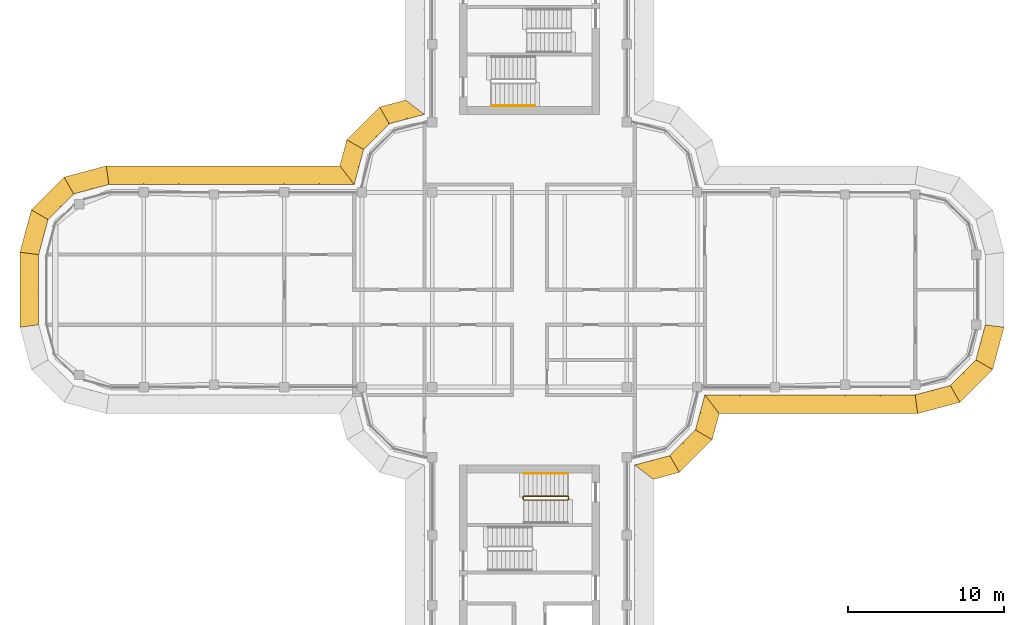
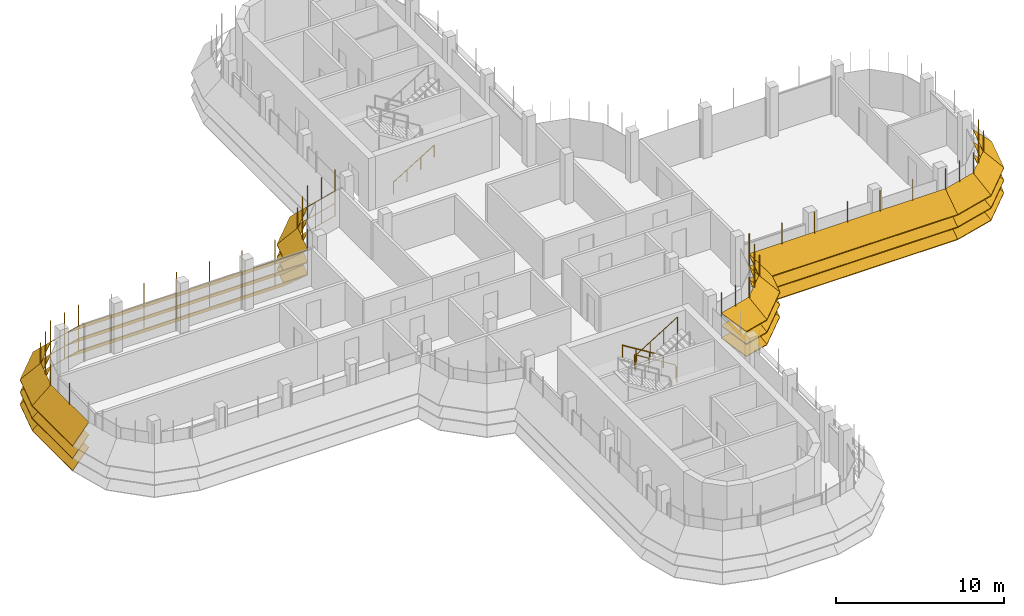
# One storey, part 17 of 19: 7 shading devices, 3 railings.
"""IFC4 building model written with IfcOpenShell, lengths in metres."""

from ifc_helpers import new_model, si_unit, direction, frame, origin, origin_2d, place, context, subcontext, project, spatial, polyline, circle, outline, extrude, faceted_brep, source, transform, mapped, material, type_object, element, save


model = new_model("IFC4")

# Units and contexts
model_context = context("Model", 3, precision=1e-05, world=origin(), true_north=direction((0.0, 1.0)))
body_context = subcontext(model_context, "Body", "Model", "MODEL_VIEW")
ifc_project = project(units=[si_unit("LENGTHUNIT", "METRE"), si_unit("AREAUNIT", "SQUARE_METRE"), si_unit("VOLUMEUNIT", "CUBIC_METRE"), si_unit("PLANEANGLEUNIT", "RADIAN"), si_unit("MASSUNIT", "GRAM", prefix="KILO")], contexts=[model_context])

# Site, building, storey
site_placement = place(None, origin())
site = spatial("IfcSite", under=ifc_project, at=site_placement, CompositionType="ELEMENT")
building_placement = place(site_placement, origin())
building = spatial("IfcBuilding", under=site, at=building_placement, Name="Zarbagh Exchange Tower", CompositionType="ELEMENT")
storey_placement = place(building_placement, frame((0.0, 0.0, 280.199951171875)))
storey = spatial("IfcBuildingStorey", under=building, at=storey_placement, Name="L69", CompositionType="ELEMENT", Elevation=280.199951171875)

# Railings
ifc_material_1 = material(Name="Stainless steel", Category="steel")
railing_type_1 = type_object("IfcRailingType", Name="Stair guard 1100 mm", PredefinedType="GUARDRAIL", material=ifc_material_1)
railing_1_placement = place(storey_placement, frame((-0.35009765625, -13.5, 2.07275390625)))
element("IfcRailing", 1, at=railing_1_placement, inside=storey, type_object=railing_type_1, Name="ST4 stair guard 1", PredefinedType="GUARDRAIL", context=body_context, shape_type="SweptSolid", body=[
    extrude(circle(Radius=0.02392578125, at=origin_2d()), frame((0.0, 0.0, 1.076171875), z_axis=(0.851089632645, 0.0, 0.525020415988), x_axis=(0.0, 1.0, 0.0)), (0.0, 0.0, 1.0), 3.2900390625),
    extrude(circle(Radius=0.02392578125, at=origin_2d()), frame((2.800048828125, 0.0, 2.80322265625), z_axis=(0.013168290981, 0.013168290981, -0.999826581076), x_axis=(-0.707106781187, 0.707106781187, 0.0)), (0.0, 0.0, 1.0), 3.80078125),
    extrude(circle(Radius=0.02392578125, at=origin_2d()), frame((2.85009765625, 0.050048828125, -0.99658203125), z_axis=(0.0, 1.0, 0.0), x_axis=(-1.0, 0.0, 0.0)), (0.0, 0.0, 1.0), 0.14990234375),
    extrude(circle(Radius=0.02392578125, at=origin_2d()), frame((2.85009765625, 0.199951171875, -0.99658203125), z_axis=(-0.267953482034, 0.267953482034, 0.925419830635), x_axis=(-0.707106781187, -0.707106781187, 0.0)), (0.0, 0.0, 1.0), 0.186767578125),
    extrude(circle(Radius=0.02392578125, at=origin_2d()), frame((2.800048828125, 0.25, -0.82373046875), z_axis=(-0.851089632645, 0.0, 0.525020415988), x_axis=(0.0, -1.0, 0.0)), (0.0, 0.0, 1.0), 3.2900390625),
    extrude(circle(Radius=0.02392578125, at=origin_2d()), frame((0.0, 0.25, 0.9033203125), z_axis=(-0.705375805398, -0.708833529934, 0.0), x_axis=(0.708833529934, -0.705375805398, 0.0)), (0.0, 0.0, 1.0), 0.070556640625),
    extrude(circle(Radius=0.02392578125, at=origin_2d()), frame((-0.0498046875, 0.199951171875, 0.9033203125), z_axis=(0.0, -1.0, 0.0), x_axis=(1.0, 0.0, 0.0)), (0.0, 0.0, 1.0), 0.14990234375),
    extrude(circle(Radius=0.02099609375, at=origin_2d()), origin(), (0.0, 0.0, 1.0), 1.052001953125),
    extrude(circle(Radius=0.02099609375, at=origin_2d()), frame((0.933349609375, 0.0, 0.57568359375)), (0.0, 0.0, 1.0), 1.052001953125),
    extrude(circle(Radius=0.02099609375, at=origin_2d()), frame((1.86669921875, 0.0, 1.151611328125)), (0.0, 0.0, 1.0), 1.052001953125),
    extrude(circle(Radius=0.02099609375, at=origin_2d()), frame((2.800048828125, 0.0, 1.727294921875)), (0.0, 0.0, 1.0), 1.052001953125),
    extrude(circle(Radius=0.02099609375, at=origin_2d()), frame((2.8125, 0.012451171875, 0.77734375)), (0.0, 0.0, 1.0), 1.052001953125),
    extrude(circle(Radius=0.02099609375, at=origin_2d()), frame((2.8251953125, 0.02490234375, -0.1728515625)), (0.0, 0.0, 1.0), 1.052001953125),
    extrude(circle(Radius=0.02099609375, at=origin_2d()), frame((2.837646484375, 0.03759765625, -1.122802734375)), (0.0, 0.0, 1.0), 1.052001953125),
    extrude(circle(Radius=0.02099609375, at=origin_2d()), frame((2.85009765625, 0.050048828125, -2.07275390625)), (0.0, 0.0, 1.0), 1.052001953125),
    extrude(circle(Radius=0.02099609375, at=origin_2d()), frame((2.85009765625, 0.199951171875, -2.07275390625)), (0.0, 0.0, 1.0), 1.052001953125),
    extrude(circle(Radius=0.02099609375, at=origin_2d()), frame((2.800048828125, 0.25, -1.89990234375)), (0.0, 0.0, 1.0), 1.052001953125),
    extrude(circle(Radius=0.02099609375, at=origin_2d()), frame((1.86669921875, 0.25, -1.32421875)), (0.0, 0.0, 1.0), 1.052001953125),
    extrude(circle(Radius=0.02099609375, at=origin_2d()), frame((0.933349609375, 0.25, -0.748291015625)), (0.0, 0.0, 1.0), 1.052001953125),
    extrude(circle(Radius=0.02099609375, at=origin_2d()), frame((0.0, 0.25, -0.172607421875)), (0.0, 0.0, 1.0), 1.052001953125),
    extrude(circle(Radius=0.02099609375, at=origin_2d()), frame((-0.0498046875, 0.199951171875, -0.172607421875)), (0.0, 0.0, 1.0), 1.052001953125),
    extrude(circle(Radius=0.02099609375, at=origin_2d()), frame((-0.0498046875, 0.050048828125, -0.172607421875)), (0.0, 0.0, 1.0), 1.052001953125),
])
railing_type_2 = type_object("IfcRailingType", Name="Stair handrail 900 mm", PredefinedType="HANDRAIL", material=ifc_material_1)
railing_2_placement = place(storey_placement, frame((-2.449951171875, 11.800048828125, 0.1728515625)))
element("IfcRailing", 2, at=railing_2_placement, inside=storey, type_object=railing_type_2, Name="ST2 stair handrail 1", PredefinedType="HANDRAIL", context=body_context, shape_type="SweptSolid", body=[
    extrude(circle(Radius=0.02392578125, at=origin_2d()), frame((0.0, 0.0, 0.8759765625), z_axis=(0.851089632645, 0.0, 0.525020415988), x_axis=(0.0, 1.0, 0.0)), (0.0, 0.0, 1.0), 3.2900390625),
    extrude(circle(Radius=0.02099609375, at=origin_2d()), origin(), (0.0, 0.0, 1.0), 0.851806640625),
    extrude(circle(Radius=0.02099609375, at=origin_2d()), frame((0.933349609375, 0.0, 0.57568359375)), (0.0, 0.0, 1.0), 0.851806640625),
    extrude(circle(Radius=0.02099609375, at=origin_2d()), frame((1.86669921875, 0.0, 1.151611328125)), (0.0, 0.0, 1.0), 0.851806640625),
    extrude(circle(Radius=0.02099609375, at=origin_2d()), frame((2.800048828125, 0.0, 1.727294921875)), (0.0, 0.0, 1.0), 0.851806640625),
])
railing_3_placement = place(storey_placement, frame((2.449951171875, -11.800048828125, 0.1728515625)))
element("IfcRailing", 3, at=railing_3_placement, inside=storey, type_object=railing_type_2, Name="ST4 stair handrail 1", PredefinedType="HANDRAIL", context=body_context, shape_type="SweptSolid", body=[
    extrude(circle(Radius=0.02392578125, at=origin_2d()), frame((0.0, 0.0, 0.8759765625), z_axis=(-0.851089632645, 0.0, 0.525020415988), x_axis=(0.0, -1.0, 0.0)), (0.0, 0.0, 1.0), 3.2900390625),
    extrude(circle(Radius=0.02099609375, at=origin_2d()), origin(), (0.0, 0.0, 1.0), 0.851806640625),
    extrude(circle(Radius=0.02099609375, at=origin_2d()), frame((-0.933349609375, 0.0, 0.57568359375)), (0.0, 0.0, 1.0), 0.851806640625),
    extrude(circle(Radius=0.02099609375, at=origin_2d()), frame((-1.86669921875, 0.0, 1.151611328125)), (0.0, 0.0, 1.0), 0.851806640625),
    extrude(circle(Radius=0.02099609375, at=origin_2d()), frame((-2.800048828125, 0.0, 1.727294921875)), (0.0, 0.0, 1.0), 0.851806640625),
])

# Shading devices
ifc_material_2 = material(Name="Anodised aluminium blades and brackets", Category="aluminium")
shading_device_type = type_object("IfcShadingDeviceType", Name="SUNSHADE louvre band, 45 degree blades", PredefinedType="JALOUSIE", material=ifc_material_2)
shared_shape_1 = source(origin(), body_context, "Body", "Brep", [
    faceted_brep([(0.0, 0.0, 0.0), (0.0, 0.0, -0.056640625), (-0.157958984375, -1.199951171875, -1.256591796875), (-0.157958984375, -1.199951171875, -1.199951171875), (2.65087890625, -1.199951171875, -1.199951171875), (2.65087890625, -1.199951171875, -1.256591796875), (2.329345703125, 0.0, -0.056640625), (2.329345703125, 0.0, 0.0)], [[[0, 1, 2, 3]], [[4, 5, 6, 7]], [[0, 7, 6, 1]], [[1, 6, 5, 2]], [[2, 5, 4, 3]], [[3, 4, 7, 0]]]),
])
shared_shape_2 = source(origin(), body_context, "Body", "Brep", [
    faceted_brep([(0.0, 0.0, 0.0), (0.0, 0.0, -0.056640625), (-0.321533203125, -1.199951171875, -1.256591796875), (-0.321533203125, -1.199951171875, -1.199951171875), (2.65087890625, -1.199951171875, -1.199951171875), (2.65087890625, -1.199951171875, -1.256591796875), (2.329345703125, 0.0, -0.056640625), (2.329345703125, 0.0, 0.0)], [[[0, 1, 2, 3]], [[4, 5, 6, 7]], [[0, 7, 6, 1]], [[1, 6, 5, 2]], [[2, 5, 4, 3]], [[3, 4, 7, 0]]]),
])
shared_shape_3 = source(origin(), body_context, "Body", "Brep", [
    faceted_brep([(0.0, 0.0, 0.0), (0.0, 0.0, -0.056640625), (-0.321533203125, -1.199951171875, -1.256591796875), (-0.321533203125, -1.199951171875, -1.199951171875), (2.4873046875, -1.199951171875, -1.199951171875), (2.4873046875, -1.199951171875, -1.256591796875), (2.329345703125, 0.0, -0.056640625), (2.329345703125, 0.0, 0.0)], [[[0, 1, 2, 3]], [[4, 5, 6, 7]], [[0, 7, 6, 1]], [[1, 6, 5, 2]], [[2, 5, 4, 3]], [[3, 4, 7, 0]]]),
])
shared_shape_4 = source(origin(), body_context, "Body", "SweptSolid", [
    extrude(outline(polyline([(0.0, -0.012451171875), (0.06005859375, -0.012451171875), (0.06005859375, 0.012451171875), (0.0, 0.012451171875), (0.0, -0.012451171875)])), origin(), (0.0, 0.0, 1.0), 3.366455078125),
])
placement = place(storey_placement, origin())
element("IfcShadingDevice", 4, at=placement, inside=storey, type_object=shading_device_type, Name="SS51 sunshade band", PredefinedType="JALOUSIE", context=body_context, shape_type="MappedRepresentation", body=[
    mapped(shared_shape_1, transform((24.75, -6.75, 2.300048828125), x_axis=(0.965924289636, 0.258824779902, 0.0), y_axis=(-0.258824779902, 0.965924289636, 0.0), z_axis=(0.0, 0.0, 1.0))),
    mapped(shared_shape_1, transform((24.75, -6.75, 1.400146484375), x_axis=(0.965924289636, 0.258824779902, 0.0), y_axis=(-0.258824779902, 0.965924289636, 0.0), z_axis=(0.0, 0.0, 1.0))),
    mapped(shared_shape_1, transform((24.75, -6.75, 0.5), x_axis=(0.965924289636, 0.258824779902, 0.0), y_axis=(-0.258824779902, 0.965924289636, 0.0), z_axis=(0.0, 0.0, 1.0))),
    mapped(shared_shape_2, transform((27.0, -6.147216796875, 2.300048828125), x_axis=(0.707106781187, 0.707106781187, 0.0), y_axis=(-0.707106781187, 0.707106781187, 0.0), z_axis=(0.0, 0.0, 1.0))),
    mapped(shared_shape_2, transform((27.0, -6.147216796875, 1.400146484375), x_axis=(0.707106781187, 0.707106781187, 0.0), y_axis=(-0.707106781187, 0.707106781187, 0.0), z_axis=(0.0, 0.0, 1.0))),
    mapped(shared_shape_2, transform((27.0, -6.147216796875, 0.5), x_axis=(0.707106781187, 0.707106781187, 0.0), y_axis=(-0.707106781187, 0.707106781187, 0.0), z_axis=(0.0, 0.0, 1.0))),
    mapped(shared_shape_3, transform((28.647216796875, -4.5, 2.300048828125), x_axis=(0.258824779902, 0.965924289636, 0.0), y_axis=(-0.965924289636, 0.258824779902, 0.0), z_axis=(0.0, 0.0, 1.0))),
    mapped(shared_shape_3, transform((28.647216796875, -4.5, 1.400146484375), x_axis=(0.258824779902, 0.965924289636, 0.0), y_axis=(-0.965924289636, 0.258824779902, 0.0), z_axis=(0.0, 0.0, 1.0))),
    mapped(shared_shape_3, transform((28.647216796875, -4.5, 0.5), x_axis=(0.258824779902, 0.965924289636, 0.0), y_axis=(-0.965924289636, 0.258824779902, 0.0), z_axis=(0.0, 0.0, 1.0))),
    mapped(shared_shape_4, transform((24.75, -6.75, 0.41357421875), x_axis=(0.130529263012, -0.991444457092, 0.0), y_axis=(0.991444457092, 0.130529263012, 0.0), z_axis=(0.0, 0.0, 1.0))),
    mapped(shared_shape_4, transform((25.875, -6.448486328125, 0.41357421875), x_axis=(0.258825058029, -0.96592421511, 0.0), y_axis=(0.96592421511, 0.258825058029, 0.0), z_axis=(0.0, 0.0, 1.0))),
    mapped(shared_shape_4, transform((27.0, -6.147216796875, 0.41357421875), x_axis=(0.50000275701, -0.866023812018, 0.0), y_axis=(0.866023812018, 0.50000275701, 0.0), z_axis=(0.0, 0.0, 1.0))),
    mapped(shared_shape_4, transform((27.823486328125, -5.323486328125, 0.41357421875), x_axis=(0.707106781187, -0.707106781187, 0.0), y_axis=(0.707106781187, 0.707106781187, 0.0), z_axis=(0.0, 0.0, 1.0))),
    mapped(shared_shape_4, transform((28.647216796875, -4.5, 0.41357421875), x_axis=(0.866023812018, -0.50000275701, 0.0), y_axis=(0.50000275701, 0.866023812018, 0.0), z_axis=(0.0, 0.0, 1.0))),
    mapped(shared_shape_4, transform((28.948486328125, -3.375, 0.41357421875), x_axis=(0.96592421511, -0.258825058029, 0.0), y_axis=(0.258825058029, 0.96592421511, 0.0), z_axis=(0.0, 0.0, 1.0))),
])
element("IfcShadingDevice", 5, at=placement, inside=storey, type_object=shading_device_type, Name="SS41 sunshade band", PredefinedType="JALOUSIE", context=body_context, shape_type="MappedRepresentation", body=[
    mapped(shared_shape_1, transform((-27.0, 6.75, 2.300048828125), x_axis=(-0.965924289636, -0.258824779902, 0.0), y_axis=(0.258824779902, -0.965924289636, 0.0), z_axis=(0.0, 0.0, 1.0))),
    mapped(shared_shape_1, transform((-27.0, 6.75, 1.400146484375), x_axis=(-0.965924289636, -0.258824779902, 0.0), y_axis=(0.258824779902, -0.965924289636, 0.0), z_axis=(0.0, 0.0, 1.0))),
    mapped(shared_shape_1, transform((-27.0, 6.75, 0.5), x_axis=(-0.965924289636, -0.258824779902, 0.0), y_axis=(0.258824779902, -0.965924289636, 0.0), z_axis=(0.0, 0.0, 1.0))),
    mapped(shared_shape_2, transform((-29.25, 6.147216796875, 2.300048828125), x_axis=(-0.707106781187, -0.707106781187, 0.0), y_axis=(0.707106781187, -0.707106781187, 0.0), z_axis=(0.0, 0.0, 1.0))),
    mapped(shared_shape_2, transform((-29.25, 6.147216796875, 1.400146484375), x_axis=(-0.707106781187, -0.707106781187, 0.0), y_axis=(0.707106781187, -0.707106781187, 0.0), z_axis=(0.0, 0.0, 1.0))),
    mapped(shared_shape_2, transform((-29.25, 6.147216796875, 0.5), x_axis=(-0.707106781187, -0.707106781187, 0.0), y_axis=(0.707106781187, -0.707106781187, 0.0), z_axis=(0.0, 0.0, 1.0))),
    mapped(shared_shape_3, transform((-30.897216796875, 4.5, 2.300048828125), x_axis=(-0.258824779902, -0.965924289636, 0.0), y_axis=(0.965924289636, -0.258824779902, 0.0), z_axis=(0.0, 0.0, 1.0))),
    mapped(shared_shape_3, transform((-30.897216796875, 4.5, 1.400146484375), x_axis=(-0.258824779902, -0.965924289636, 0.0), y_axis=(0.965924289636, -0.258824779902, 0.0), z_axis=(0.0, 0.0, 1.0))),
    mapped(shared_shape_3, transform((-30.897216796875, 4.5, 0.5), x_axis=(-0.258824779902, -0.965924289636, 0.0), y_axis=(0.965924289636, -0.258824779902, 0.0), z_axis=(0.0, 0.0, 1.0))),
    mapped(shared_shape_4, transform((-27.0, 6.75, 0.41357421875), x_axis=(-0.130529263012, 0.991444457092, 0.0), y_axis=(-0.991444457092, -0.130529263012, 0.0), z_axis=(0.0, 0.0, 1.0))),
    mapped(shared_shape_4, transform((-28.125, 6.448486328125, 0.41357421875), x_axis=(-0.258825058029, 0.96592421511, 0.0), y_axis=(-0.96592421511, -0.258825058029, 0.0), z_axis=(0.0, 0.0, 1.0))),
    mapped(shared_shape_4, transform((-29.25, 6.147216796875, 0.41357421875), x_axis=(-0.50000275701, 0.866023812018, 0.0), y_axis=(-0.866023812018, -0.50000275701, 0.0), z_axis=(0.0, 0.0, 1.0))),
    mapped(shared_shape_4, transform((-30.073486328125, 5.323486328125, 0.41357421875), x_axis=(-0.707106781187, 0.707106781187, 0.0), y_axis=(-0.707106781187, -0.707106781187, 0.0), z_axis=(0.0, 0.0, 1.0))),
    mapped(shared_shape_4, transform((-30.897216796875, 4.5, 0.41357421875), x_axis=(-0.866023812018, 0.50000275701, 0.0), y_axis=(-0.50000275701, -0.866023812018, 0.0), z_axis=(0.0, 0.0, 1.0))),
    mapped(shared_shape_4, transform((-31.198486328125, 3.375, 0.41357421875), x_axis=(-0.96592421511, 0.258825058029, 0.0), y_axis=(-0.258825058029, -0.96592421511, 0.0), z_axis=(0.0, 0.0, 1.0))),
])
shared_shape_5 = source(origin(), body_context, "Body", "Brep", [
    faceted_brep([(0.0, 0.0, 0.0), (0.0, 0.0, -0.056640625), (0.9208984375, -1.199951171875, -1.256591796875), (0.9208984375, -1.199951171875, -1.199951171875), (2.65087890625, -1.199951171875, -1.199951171875), (2.65087890625, -1.199951171875, -1.256591796875), (2.329345703125, 0.0, -0.056640625), (2.329345703125, 0.0, 0.0)], [[[0, 1, 2, 3]], [[4, 5, 6, 7]], [[0, 7, 6, 1]], [[1, 6, 5, 2]], [[2, 5, 4, 3]], [[3, 4, 7, 0]]]),
])
shared_shape_6 = source(origin(), body_context, "Body", "Brep", [
    faceted_brep([(0.0, 0.0, 0.0), (0.0, 0.0, -0.056640625), (-0.321533203125, -1.199951171875, -1.256591796875), (-0.321533203125, -1.199951171875, -1.199951171875), (1.40869140625, -1.199951171875, -1.199951171875), (1.40869140625, -1.199951171875, -1.256591796875), (2.329345703125, 0.0, -0.056640625), (2.329345703125, 0.0, 0.0)], [[[0, 1, 2, 3]], [[4, 5, 6, 7]], [[0, 7, 6, 1]], [[1, 6, 5, 2]], [[2, 5, 4, 3]], [[3, 4, 7, 0]]]),
])
element("IfcShadingDevice", 6, at=placement, inside=storey, type_object=shading_device_type, Name="SS03 sunshade band", PredefinedType="JALOUSIE", context=body_context, shape_type="MappedRepresentation", body=[
    mapped(shared_shape_5, transform((6.75, -11.25, 2.300048828125), x_axis=(0.965924289636, 0.258824779902, 0.0), y_axis=(-0.258824779902, 0.965924289636, 0.0), z_axis=(0.0, 0.0, 1.0))),
    mapped(shared_shape_5, transform((6.75, -11.25, 1.400146484375), x_axis=(0.965924289636, 0.258824779902, 0.0), y_axis=(-0.258824779902, 0.965924289636, 0.0), z_axis=(0.0, 0.0, 1.0))),
    mapped(shared_shape_5, transform((6.75, -11.25, 0.5), x_axis=(0.965924289636, 0.258824779902, 0.0), y_axis=(-0.258824779902, 0.965924289636, 0.0), z_axis=(0.0, 0.0, 1.0))),
    mapped(shared_shape_2, transform((9.0, -10.647216796875, 2.300048828125), x_axis=(0.707106781187, 0.707106781187, 0.0), y_axis=(-0.707106781187, 0.707106781187, 0.0), z_axis=(0.0, 0.0, 1.0))),
    mapped(shared_shape_2, transform((9.0, -10.647216796875, 1.400146484375), x_axis=(0.707106781187, 0.707106781187, 0.0), y_axis=(-0.707106781187, 0.707106781187, 0.0), z_axis=(0.0, 0.0, 1.0))),
    mapped(shared_shape_2, transform((9.0, -10.647216796875, 0.5), x_axis=(0.707106781187, 0.707106781187, 0.0), y_axis=(-0.707106781187, 0.707106781187, 0.0), z_axis=(0.0, 0.0, 1.0))),
    mapped(shared_shape_6, transform((10.647216796875, -9.0, 2.300048828125), x_axis=(0.258824779902, 0.965924289636, 0.0), y_axis=(-0.965924289636, 0.258824779902, 0.0), z_axis=(0.0, 0.0, 1.0))),
    mapped(shared_shape_6, transform((10.647216796875, -9.0, 1.400146484375), x_axis=(0.258824779902, 0.965924289636, 0.0), y_axis=(-0.965924289636, 0.258824779902, 0.0), z_axis=(0.0, 0.0, 1.0))),
    mapped(shared_shape_6, transform((10.647216796875, -9.0, 0.5), x_axis=(0.258824779902, 0.965924289636, 0.0), y_axis=(-0.965924289636, 0.258824779902, 0.0), z_axis=(0.0, 0.0, 1.0))),
    mapped(shared_shape_4, transform((6.75, -11.25, 0.41357421875), x_axis=(0.793355287, -0.608758892, 0.0), y_axis=(0.608758892, 0.793355287, 0.0), z_axis=(0.0, 0.0, 1.0))),
    mapped(shared_shape_4, transform((7.875, -10.948486328125, 0.41357421875), x_axis=(0.258825058029, -0.96592421511, 0.0), y_axis=(0.96592421511, 0.258825058029, 0.0), z_axis=(0.0, 0.0, 1.0))),
    mapped(shared_shape_4, transform((9.0, -10.647216796875, 0.41357421875), x_axis=(0.50000275701, -0.866023812018, 0.0), y_axis=(0.866023812018, 0.50000275701, 0.0), z_axis=(0.0, 0.0, 1.0))),
    mapped(shared_shape_4, transform((9.823486328125, -9.823486328125, 0.41357421875), x_axis=(0.707106781187, -0.707106781187, 0.0), y_axis=(0.707106781187, 0.707106781187, 0.0), z_axis=(0.0, 0.0, 1.0))),
    mapped(shared_shape_4, transform((10.647216796875, -9.0, 0.41357421875), x_axis=(0.866023812018, -0.50000275701, 0.0), y_axis=(0.50000275701, 0.866023812018, 0.0), z_axis=(0.0, 0.0, 1.0))),
    mapped(shared_shape_4, transform((10.948486328125, -7.875, 0.41357421875), x_axis=(0.96592421511, -0.258825058029, 0.0), y_axis=(0.258825058029, 0.96592421511, 0.0), z_axis=(0.0, 0.0, 1.0))),
])
element("IfcShadingDevice", 7, at=placement, inside=storey, type_object=shading_device_type, Name="SS15 sunshade band", PredefinedType="JALOUSIE", context=body_context, shape_type="MappedRepresentation", body=[
    mapped(shared_shape_5, transform((-6.75, 11.25, 2.300048828125), x_axis=(-0.965924289636, -0.258824779902, 0.0), y_axis=(0.258824779902, -0.965924289636, 0.0), z_axis=(0.0, 0.0, 1.0))),
    mapped(shared_shape_5, transform((-6.75, 11.25, 1.400146484375), x_axis=(-0.965924289636, -0.258824779902, 0.0), y_axis=(0.258824779902, -0.965924289636, 0.0), z_axis=(0.0, 0.0, 1.0))),
    mapped(shared_shape_5, transform((-6.75, 11.25, 0.5), x_axis=(-0.965924289636, -0.258824779902, 0.0), y_axis=(0.258824779902, -0.965924289636, 0.0), z_axis=(0.0, 0.0, 1.0))),
    mapped(shared_shape_2, transform((-9.0, 10.647216796875, 2.300048828125), x_axis=(-0.707106781187, -0.707106781187, 0.0), y_axis=(0.707106781187, -0.707106781187, 0.0), z_axis=(0.0, 0.0, 1.0))),
    mapped(shared_shape_2, transform((-9.0, 10.647216796875, 1.400146484375), x_axis=(-0.707106781187, -0.707106781187, 0.0), y_axis=(0.707106781187, -0.707106781187, 0.0), z_axis=(0.0, 0.0, 1.0))),
    mapped(shared_shape_2, transform((-9.0, 10.647216796875, 0.5), x_axis=(-0.707106781187, -0.707106781187, 0.0), y_axis=(0.707106781187, -0.707106781187, 0.0), z_axis=(0.0, 0.0, 1.0))),
    mapped(shared_shape_6, transform((-10.647216796875, 9.0, 2.300048828125), x_axis=(-0.258824779902, -0.965924289636, 0.0), y_axis=(0.965924289636, -0.258824779902, 0.0), z_axis=(0.0, 0.0, 1.0))),
    mapped(shared_shape_6, transform((-10.647216796875, 9.0, 1.400146484375), x_axis=(-0.258824779902, -0.965924289636, 0.0), y_axis=(0.965924289636, -0.258824779902, 0.0), z_axis=(0.0, 0.0, 1.0))),
    mapped(shared_shape_6, transform((-10.647216796875, 9.0, 0.5), x_axis=(-0.258824779902, -0.965924289636, 0.0), y_axis=(0.965924289636, -0.258824779902, 0.0), z_axis=(0.0, 0.0, 1.0))),
    mapped(shared_shape_4, transform((-6.75, 11.25, 0.41357421875), x_axis=(-0.793355287, 0.608758892, 0.0), y_axis=(-0.608758892, -0.793355287, 0.0), z_axis=(0.0, 0.0, 1.0))),
    mapped(shared_shape_4, transform((-7.875, 10.948486328125, 0.41357421875), x_axis=(-0.258825058029, 0.96592421511, 0.0), y_axis=(-0.96592421511, -0.258825058029, 0.0), z_axis=(0.0, 0.0, 1.0))),
    mapped(shared_shape_4, transform((-9.0, 10.647216796875, 0.41357421875), x_axis=(-0.50000275701, 0.866023812018, 0.0), y_axis=(-0.866023812018, -0.50000275701, 0.0), z_axis=(0.0, 0.0, 1.0))),
    mapped(shared_shape_4, transform((-9.823486328125, 9.823486328125, 0.41357421875), x_axis=(-0.707106781187, 0.707106781187, 0.0), y_axis=(-0.707106781187, -0.707106781187, 0.0), z_axis=(0.0, 0.0, 1.0))),
    mapped(shared_shape_4, transform((-10.647216796875, 9.0, 0.41357421875), x_axis=(-0.866023812018, 0.50000275701, 0.0), y_axis=(-0.50000275701, -0.866023812018, 0.0), z_axis=(0.0, 0.0, 1.0))),
    mapped(shared_shape_4, transform((-10.948486328125, 7.875, 0.41357421875), x_axis=(-0.96592421511, 0.258825058029, 0.0), y_axis=(-0.258825058029, -0.96592421511, 0.0), z_axis=(0.0, 0.0, 1.0))),
])
shared_shape_7 = source(origin(), body_context, "Body", "Brep", [
    faceted_brep([(0.0, 0.0, 0.0), (0.0, 0.0, -0.056640625), (0.9208984375, -1.199951171875, -1.256591796875), (0.9208984375, -1.199951171875, -1.199951171875), (13.657958984375, -1.199951171875, -1.199951171875), (13.657958984375, -1.199951171875, -1.256591796875), (13.5, 0.0, -0.056640625), (13.5, 0.0, 0.0)], [[[0, 1, 2, 3]], [[4, 5, 6, 7]], [[0, 7, 6, 1]], [[1, 6, 5, 2]], [[2, 5, 4, 3]], [[3, 4, 7, 0]]]),
])
element("IfcShadingDevice", 8, at=placement, inside=storey, type_object=shading_device_type, Name="SS50 sunshade band", PredefinedType="JALOUSIE", context=body_context, shape_type="MappedRepresentation", body=[
    mapped(shared_shape_7, transform((11.25, -6.75, 2.300048828125), x_axis=(1.0, 0.0, 0.0), y_axis=(0.0, 1.0, 0.0), z_axis=(0.0, 0.0, 1.0))),
    mapped(shared_shape_7, transform((11.25, -6.75, 1.400146484375), x_axis=(1.0, 0.0, 0.0), y_axis=(0.0, 1.0, 0.0), z_axis=(0.0, 0.0, 1.0))),
    mapped(shared_shape_7, transform((11.25, -6.75, 0.5), x_axis=(1.0, 0.0, 0.0), y_axis=(0.0, 1.0, 0.0), z_axis=(0.0, 0.0, 1.0))),
    mapped(shared_shape_4, transform((11.25, -6.75, 0.41357421875), x_axis=(0.608758892, -0.793355287, 0.0), y_axis=(0.793355287, 0.608758892, 0.0), z_axis=(0.0, 0.0, 1.0))),
    mapped(shared_shape_4, transform((13.5, -6.75, 0.41357421875), x_axis=(0.0, -1.0, 0.0), y_axis=(1.0, 0.0, 0.0), z_axis=(0.0, 0.0, 1.0))),
    mapped(shared_shape_4, transform((15.75, -6.75, 0.41357421875), x_axis=(0.0, -1.0, 0.0), y_axis=(1.0, 0.0, 0.0), z_axis=(0.0, 0.0, 1.0))),
    mapped(shared_shape_4, transform((18.0, -6.75, 0.41357421875), x_axis=(0.0, -1.0, 0.0), y_axis=(1.0, 0.0, 0.0), z_axis=(0.0, 0.0, 1.0))),
    mapped(shared_shape_4, transform((20.25, -6.75, 0.41357421875), x_axis=(0.0, -1.0, 0.0), y_axis=(1.0, 0.0, 0.0), z_axis=(0.0, 0.0, 1.0))),
    mapped(shared_shape_4, transform((22.5, -6.75, 0.41357421875), x_axis=(0.0, -1.0, 0.0), y_axis=(1.0, 0.0, 0.0), z_axis=(0.0, 0.0, 1.0))),
])
shared_shape_8 = source(origin(), body_context, "Body", "Brep", [
    faceted_brep([(0.0, 0.0, 0.0), (0.0, 0.0, -0.056640625), (0.9208984375, -1.199951171875, -1.256591796875), (0.9208984375, -1.199951171875, -1.199951171875), (15.907958984375, -1.199951171875, -1.199951171875), (15.907958984375, -1.199951171875, -1.256591796875), (15.75, 0.0, -0.056640625), (15.75, 0.0, 0.0)], [[[0, 1, 2, 3]], [[4, 5, 6, 7]], [[0, 7, 6, 1]], [[1, 6, 5, 2]], [[2, 5, 4, 3]], [[3, 4, 7, 0]]]),
])
element("IfcShadingDevice", 9, at=placement, inside=storey, type_object=shading_device_type, Name="SS40 sunshade band", PredefinedType="JALOUSIE", context=body_context, shape_type="MappedRepresentation", body=[
    mapped(shared_shape_8, transform((-11.25, 6.75, 2.300048828125), x_axis=(-1.0, 0.0, 0.0), y_axis=(0.0, -1.0, 0.0), z_axis=(0.0, 0.0, 1.0))),
    mapped(shared_shape_8, transform((-11.25, 6.75, 1.400146484375), x_axis=(-1.0, 0.0, 0.0), y_axis=(0.0, -1.0, 0.0), z_axis=(0.0, 0.0, 1.0))),
    mapped(shared_shape_8, transform((-11.25, 6.75, 0.5), x_axis=(-1.0, 0.0, 0.0), y_axis=(0.0, -1.0, 0.0), z_axis=(0.0, 0.0, 1.0))),
    mapped(shared_shape_4, transform((-11.25, 6.75, 0.41357421875), x_axis=(-0.608758892, 0.793355287, 0.0), y_axis=(-0.793355287, -0.608758892, 0.0), z_axis=(0.0, 0.0, 1.0))),
    mapped(shared_shape_4, transform((-13.5, 6.75, 0.41357421875), x_axis=(0.0, 1.0, 0.0), y_axis=(-1.0, 0.0, 0.0), z_axis=(0.0, 0.0, 1.0))),
    mapped(shared_shape_4, transform((-15.75, 6.75, 0.41357421875), x_axis=(0.0, 1.0, 0.0), y_axis=(-1.0, 0.0, 0.0), z_axis=(0.0, 0.0, 1.0))),
    mapped(shared_shape_4, transform((-18.0, 6.75, 0.41357421875), x_axis=(0.0, 1.0, 0.0), y_axis=(-1.0, 0.0, 0.0), z_axis=(0.0, 0.0, 1.0))),
    mapped(shared_shape_4, transform((-20.25, 6.75, 0.41357421875), x_axis=(0.0, 1.0, 0.0), y_axis=(-1.0, 0.0, 0.0), z_axis=(0.0, 0.0, 1.0))),
    mapped(shared_shape_4, transform((-22.5, 6.75, 0.41357421875), x_axis=(0.0, 1.0, 0.0), y_axis=(-1.0, 0.0, 0.0), z_axis=(0.0, 0.0, 1.0))),
    mapped(shared_shape_4, transform((-24.75, 6.75, 0.41357421875), x_axis=(0.0, 1.0, 0.0), y_axis=(-1.0, 0.0, 0.0), z_axis=(0.0, 0.0, 1.0))),
])
shared_shape_9 = source(origin(), body_context, "Body", "Brep", [
    faceted_brep([(0.0, 0.0, 0.0), (0.0, 0.0, -0.056640625), (-0.157958984375, -1.199951171875, -1.256591796875), (-0.157958984375, -1.199951171875, -1.199951171875), (4.657958984375, -1.199951171875, -1.199951171875), (4.657958984375, -1.199951171875, -1.256591796875), (4.5, 0.0, -0.056640625), (4.5, 0.0, 0.0)], [[[0, 1, 2, 3]], [[4, 5, 6, 7]], [[0, 7, 6, 1]], [[1, 6, 5, 2]], [[2, 5, 4, 3]], [[3, 4, 7, 0]]]),
])
element("IfcShadingDevice", 10, at=placement, inside=storey, type_object=shading_device_type, Name="SS42 sunshade band", PredefinedType="JALOUSIE", context=body_context, shape_type="MappedRepresentation", body=[
    mapped(shared_shape_9, transform((-31.5, 2.25, 2.300048828125), x_axis=(0.0, -1.0, 0.0), y_axis=(1.0, 0.0, 0.0), z_axis=(0.0, 0.0, 1.0))),
    mapped(shared_shape_9, transform((-31.5, 2.25, 1.400146484375), x_axis=(0.0, -1.0, 0.0), y_axis=(1.0, 0.0, 0.0), z_axis=(0.0, 0.0, 1.0))),
    mapped(shared_shape_9, transform((-31.5, 2.25, 0.5), x_axis=(0.0, -1.0, 0.0), y_axis=(1.0, 0.0, 0.0), z_axis=(0.0, 0.0, 1.0))),
    mapped(shared_shape_4, transform((-31.5, 2.25, 0.41357421875), x_axis=(-0.991444457092, 0.130529263012, 0.0), y_axis=(-0.130529263012, -0.991444457092, 0.0), z_axis=(0.0, 0.0, 1.0))),
    mapped(shared_shape_4, transform((-31.5, 0.0, 0.41357421875), x_axis=(-1.0, 0.0, 0.0), y_axis=(0.0, -1.0, 0.0), z_axis=(0.0, 0.0, 1.0))),
])

save(model, "model.ifc")
